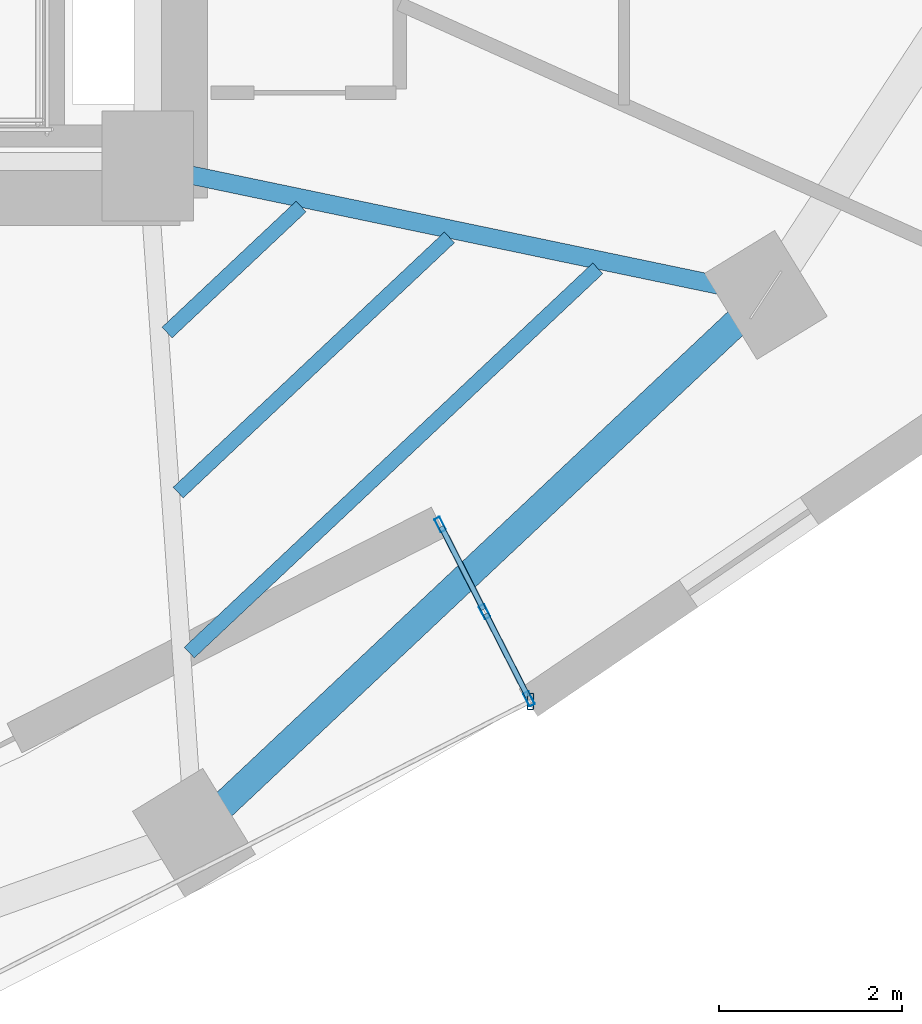
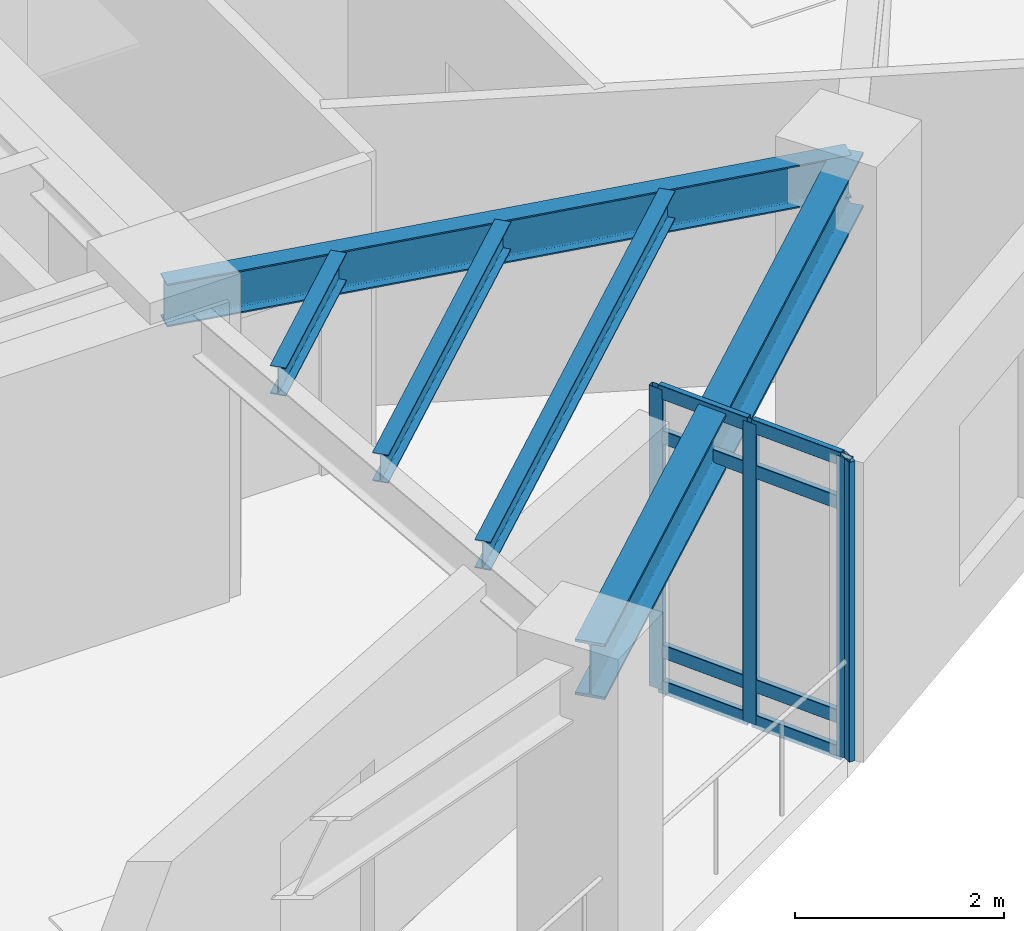
# One storey, part 3 of 12: 12 members, 5 beams, 1 element without a shape of its own.
"""IFC4 building model written with IfcOpenShell, lengths in metres."""

from ifc_helpers import new_model, si_unit, direction, frame, origin, origin_2d, place, context, subcontext, project, spatial, hollow_rectangle, i_section, extrude, material, layer, layer_set, material_profile, profile_set, type_object, element, aggregate, save


model = new_model("IFC4")

# Units and contexts
model_context = context("Model", 3, precision=1e-05, world=origin(), true_north=direction((0.0, 1.0)))
body_context = subcontext(model_context, "Body", "Model", "MODEL_VIEW")
ifc_project = project(units=[si_unit("LENGTHUNIT", "METRE"), si_unit("AREAUNIT", "SQUARE_METRE"), si_unit("VOLUMEUNIT", "CUBIC_METRE"), si_unit("PLANEANGLEUNIT", "RADIAN"), si_unit("MASSUNIT", "GRAM", prefix="KILO")], contexts=[model_context])

# Site, building, storey
site_placement = place(None, origin())
site = spatial("IfcSite", under=ifc_project, at=site_placement, CompositionType="ELEMENT")
building_placement = place(site_placement, origin())
building = spatial("IfcBuilding", under=site, at=building_placement, Name="Ndelora Gate Hotel", CompositionType="ELEMENT")
storey_placement = place(building_placement, frame((0.0, 0.0, 112.25)))
storey = spatial("IfcBuildingStorey", under=building, at=storey_placement, Name="L27", CompositionType="ELEMENT", Elevation=112.25)

# Beams
ifc_material_1 = material(Name="Steel S355", Category="steel")
ifc_material_profile_1 = material_profile(ifc_material_1, i_section(OverallWidth=0.159912109375, OverallDepth=0.330078125, WebThickness=0.007568359375, FlangeThickness=0.011474609375, FilletRadius=0.01806640625, at=origin_2d()), Name="IPE 330")
ifc_profile_set_1 = profile_set([ifc_material_profile_1], Name="Steel S355")
beam_type_1 = type_object("IfcBeamType", Name="BM-JST-330", PredefinedType="JOIST", material=ifc_profile_set_1)
beam_1_placement = place(storey_placement, frame((8.211181640625, -8.4169921875, 3.3349609375), z_axis=(0.728414088998, 0.685137150466, 0.0), x_axis=(-0.685137150466, 0.728414088998, 0.0)))
element("IfcBeam", 1, at=beam_1_placement, inside=storey, type_object=beam_type_1, Name="L27 Secondary Composite Floor Joist IN-7", PredefinedType="JOIST", context=body_context, shape_type="SweptSolid", body=[
    extrude(i_section(OverallWidth=0.159912109375, OverallDepth=0.330078125, WebThickness=0.007568359375, FlangeThickness=0.011474609375, FilletRadius=0.01806640625, at=origin_2d()), origin(), (0.0, 0.0, 1.0), 2.00830078125),
])
beam_2_placement = place(storey_placement, frame((8.33251953125, -10.163818359375, 3.3349609375), z_axis=(0.728369245526, 0.685184823366, 0.0), x_axis=(-0.685184823366, 0.728369245526, 0.0)))
element("IfcBeam", 2, at=beam_2_placement, inside=storey, type_object=beam_type_1, Name="L27 Secondary Composite Floor Joist MID-7", PredefinedType="JOIST", context=body_context, shape_type="SweptSolid", body=[
    extrude(i_section(OverallWidth=0.159912109375, OverallDepth=0.330078125, WebThickness=0.007568359375, FlangeThickness=0.011474609375, FilletRadius=0.01806640625, at=origin_2d()), origin(), (0.0, 0.0, 1.0), 4.06494140625),
])
beam_3_placement = place(storey_placement, frame((8.45361328125, -11.910400390625, 3.3349609375), z_axis=(0.728393161111, 0.68515939959, 0.0), x_axis=(-0.68515939959, 0.728393161111, 0.0)))
element("IfcBeam", 3, at=beam_3_placement, inside=storey, type_object=beam_type_1, Name="L27 Secondary Composite Floor Joist OUT-7", PredefinedType="JOIST", context=body_context, shape_type="SweptSolid", body=[
    extrude(i_section(OverallWidth=0.159912109375, OverallDepth=0.330078125, WebThickness=0.007568359375, FlangeThickness=0.011474609375, FilletRadius=0.01806640625, at=origin_2d()), origin(), (0.0, 0.0, 1.0), 6.121337890625),
])
ifc_material_profile_2 = material_profile(ifc_material_1, i_section(OverallWidth=0.199951171875, OverallDepth=0.5, WebThickness=0.01025390625, FlangeThickness=0.01611328125, FilletRadius=0.02099609375, at=origin_2d()), Name="IPE 500")
ifc_profile_set_2 = profile_set([ifc_material_profile_2], Name="Steel S355")
beam_type_2 = type_object("IfcBeamType", Name="BM-RAD-500", PredefinedType="BEAM", material=ifc_profile_set_2)
beam_4_placement = place(storey_placement, frame((8.0, -6.60009765625, 3.25), z_axis=(0.978952706778, -0.204087231083, 0.0), x_axis=(0.204087231083, 0.978952706778, 0.0)))
element("IfcBeam", 4, at=beam_4_placement, inside=storey, type_object=beam_type_2, Name="L27 Radial Floor Girder 8", PredefinedType="BEAM", context=body_context, shape_type="SweptSolid", body=[
    extrude(i_section(OverallWidth=0.199951171875, OverallDepth=0.5, WebThickness=0.01025390625, FlangeThickness=0.01611328125, FilletRadius=0.02099609375, at=origin_2d()), origin(), (0.0, 0.0, 1.0), 6.8916015625),
])
ifc_material_profile_3 = material_profile(ifc_material_1, i_section(OverallWidth=0.300048828125, OverallDepth=0.64990234375, WebThickness=0.01611328125, FlangeThickness=0.031005859375, FilletRadius=0.027099609375, at=origin_2d()), Name="HEB 650")
ifc_profile_set_3 = profile_set([ifc_material_profile_3], Name="Steel S355")
beam_type_3 = type_object("IfcBeamType", Name="BM-RING-650", PredefinedType="SPANDREL", material=ifc_profile_set_3)
beam_5_placement = place(storey_placement, frame((8.50439453125, -13.878173828125, 3.175048828125), z_axis=(0.728399016952, 0.68515317419, 0.0), x_axis=(-0.68515317419, 0.728399016952, 0.0)))
element("IfcBeam", 5, at=beam_5_placement, inside=storey, type_object=beam_type_3, Name="L27 Perimeter Spandrel Girder 7", PredefinedType="SPANDREL", context=body_context, shape_type="SweptSolid", body=[
    extrude(i_section(OverallWidth=0.300048828125, OverallDepth=0.64990234375, WebThickness=0.01611328125, FlangeThickness=0.031005859375, FilletRadius=0.027099609375, at=origin_2d()), origin(), (0.0, 0.0, 1.0), 8.56982421875),
])

# Curtain wall, members
ifc_material_2 = material(Name="Bronze Anodised Unitised Aluminium and Low-E Glass", Category="aluminium")
ifc_layer = layer(ifc_material_2, 0.199951171875)
ifc_layer_set = layer_set([ifc_layer], Name="Bronze Anodised Unitised Aluminium and Low-E Glass")
curtain_wall_type = type_object("IfcCurtainWallType", Name="CW-SYS-3", PredefinedType="NOTDEFINED", material=ifc_layer_set)
curtain_wall_placement = place(storey_placement, origin())
curtain_wall = element("IfcCurtainWall", 6, at=curtain_wall_placement, inside=storey, type_object=curtain_wall_type, Name="L27 Sky-Garden Loggia Side Curtain Wall CW3-2", PredefinedType="NOTDEFINED")
ifc_material_3 = material(Name="Bronze Anodised Aluminium 6063-T6", Category="aluminium")
ifc_material_profile_4 = material_profile(ifc_material_3, hollow_rectangle(XDim=0.06494140625, YDim=0.159912109375, WallThickness=0.00390625, InnerFilletRadius=0.00390625, OuterFilletRadius=0.008056640625, at=origin_2d()), Name="ALU 160x65x4")
ifc_profile_set_4 = profile_set([ifc_material_profile_4], Name="Bronze Anodised Aluminium 6063-T6")
member_type_1 = type_object("IfcMemberType", Name="MB-CW-MUL150", PredefinedType="MULLION", material=ifc_profile_set_4)
member_1_placement = place(storey_placement, frame((12.161865234375, -12.4150390625, -0.00390625), z_axis=(0.0, 0.0, 1.0), x_axis=(-0.891001336507, -0.454000680995, 0.0)))
member_1 = element("IfcMember", 7, at=member_1_placement, type_object=member_type_1, Name="CW3 mullion 1", PredefinedType="MULLION", context=body_context, shape_type="SweptSolid", body=[
    extrude(hollow_rectangle(XDim=0.06494140625, YDim=0.159912109375, WallThickness=0.00390625, InnerFilletRadius=0.00390625, OuterFilletRadius=0.008056640625, at=origin_2d()), origin(), (0.0, 0.0, 1.0), 3.5078125),
])
member_2_placement = place(storey_placement, frame((11.67724609375, -11.4638671875, -0.00390625), z_axis=(0.0, 0.0, 1.0), x_axis=(-0.891001336507, -0.454000680995, 0.0)))
member_2 = element("IfcMember", 8, at=member_2_placement, type_object=member_type_1, Name="CW3 mullion 2", PredefinedType="MULLION", context=body_context, shape_type="SweptSolid", body=[
    extrude(hollow_rectangle(XDim=0.06494140625, YDim=0.159912109375, WallThickness=0.00390625, InnerFilletRadius=0.00390625, OuterFilletRadius=0.008056640625, at=origin_2d()), origin(), (0.0, 0.0, 1.0), 3.5078125),
])
member_3_placement = place(storey_placement, frame((11.192626953125, -10.5126953125, -0.00390625), z_axis=(0.0, 0.0, 1.0), x_axis=(-0.891001336507, -0.454000680995, 0.0)))
member_3 = element("IfcMember", 9, at=member_3_placement, type_object=member_type_1, Name="CW3 mullion 3", PredefinedType="MULLION", context=body_context, shape_type="SweptSolid", body=[
    extrude(hollow_rectangle(XDim=0.06494140625, YDim=0.159912109375, WallThickness=0.00390625, InnerFilletRadius=0.00390625, OuterFilletRadius=0.008056640625, at=origin_2d()), origin(), (0.0, 0.0, 1.0), 3.5078125),
])
ifc_material_profile_5 = material_profile(ifc_material_3, hollow_rectangle(XDim=0.070068359375, YDim=0.179931640625, WallThickness=0.0048828125, InnerFilletRadius=0.0048828125, OuterFilletRadius=0.010009765625, at=origin_2d()), Name="ALU 180x70x5")
ifc_profile_set_5 = profile_set([ifc_material_profile_5], Name="Bronze Anodised Aluminium 6063-T6")
member_type_2 = type_object("IfcMemberType", Name="MB-CW-MUL180", PredefinedType="MULLION", material=ifc_profile_set_5)
member_4_placement = place(storey_placement, frame((12.176513671875, -12.44384765625, 0.0), z_axis=(0.0, 0.0, 1.0), x_axis=(1.0, 0.0, 0.0)))
member_4 = element("IfcMember", 10, at=member_4_placement, type_object=member_type_2, Name="L27 Sky-Garden Loggia Corner Mullion Post 2", PredefinedType="MULLION", context=body_context, shape_type="SweptSolid", body=[
    extrude(hollow_rectangle(XDim=0.070068359375, YDim=0.179931640625, WallThickness=0.0048828125, InnerFilletRadius=0.0048828125, OuterFilletRadius=0.010009765625, at=origin_2d()), origin(), (0.0, 0.0, 1.0), 3.5),
])
ifc_material_profile_6 = material_profile(ifc_material_3, hollow_rectangle(XDim=0.06494140625, YDim=0.159912109375, WallThickness=0.00390625, InnerFilletRadius=0.00390625, OuterFilletRadius=0.008056640625, at=origin_2d()), Name="ALU 160x65x4")
ifc_profile_set_6 = profile_set([ifc_material_profile_6], Name="Bronze Anodised Aluminium 6063-T6")
member_type_3 = type_object("IfcMemberType", Name="MB-CW-TRN150", PredefinedType="USERDEFINED", material=ifc_profile_set_6)
member_5_placement = place(storey_placement, frame((12.14990234375, -12.391357421875, 0.032470703125), z_axis=(-0.454033910437, 0.890984404001, 0.0), x_axis=(-0.890984404001, -0.454033910437, 0.0)))
member_5 = element("IfcMember", 11, at=member_5_placement, type_object=member_type_3, Name="CW3 transom 1.1", ObjectType="TRANSOM", PredefinedType="USERDEFINED", context=body_context, shape_type="SweptSolid", body=[
    extrude(hollow_rectangle(XDim=0.06494140625, YDim=0.159912109375, WallThickness=0.00390625, InnerFilletRadius=0.00390625, OuterFilletRadius=0.008056640625, at=origin_2d()), origin(), (0.0, 0.0, 1.0), 1.0146484375),
])
member_6_placement = place(storey_placement, frame((12.14990234375, -12.391357421875, 0.449951171875), z_axis=(-0.454033910437, 0.890984404001, 0.0), x_axis=(-0.890984404001, -0.454033910437, 0.0)))
member_6 = element("IfcMember", 12, at=member_6_placement, type_object=member_type_3, Name="CW3 transom 1.2", ObjectType="TRANSOM", PredefinedType="USERDEFINED", context=body_context, shape_type="SweptSolid", body=[
    extrude(hollow_rectangle(XDim=0.06494140625, YDim=0.159912109375, WallThickness=0.00390625, InnerFilletRadius=0.00390625, OuterFilletRadius=0.008056640625, at=origin_2d()), origin(), (0.0, 0.0, 1.0), 1.0146484375),
])
member_7_placement = place(storey_placement, frame((12.14990234375, -12.391357421875, 2.949951171875), z_axis=(-0.454033910437, 0.890984404001, 0.0), x_axis=(-0.890984404001, -0.454033910437, 0.0)))
member_7 = element("IfcMember", 13, at=member_7_placement, type_object=member_type_3, Name="CW3 transom 1.3", ObjectType="TRANSOM", PredefinedType="USERDEFINED", context=body_context, shape_type="SweptSolid", body=[
    extrude(hollow_rectangle(XDim=0.06494140625, YDim=0.159912109375, WallThickness=0.00390625, InnerFilletRadius=0.00390625, OuterFilletRadius=0.008056640625, at=origin_2d()), origin(), (0.0, 0.0, 1.0), 1.0146484375),
])
member_8_placement = place(storey_placement, frame((12.14990234375, -12.391357421875, 3.467529296875), z_axis=(-0.454033910437, 0.890984404001, 0.0), x_axis=(-0.890984404001, -0.454033910437, 0.0)))
member_8 = element("IfcMember", 14, at=member_8_placement, type_object=member_type_3, Name="CW3 transom 1.4", ObjectType="TRANSOM", PredefinedType="USERDEFINED", context=body_context, shape_type="SweptSolid", body=[
    extrude(hollow_rectangle(XDim=0.06494140625, YDim=0.159912109375, WallThickness=0.00390625, InnerFilletRadius=0.00390625, OuterFilletRadius=0.008056640625, at=origin_2d()), origin(), (0.0, 0.0, 1.0), 1.0146484375),
])
member_9_placement = place(storey_placement, frame((11.665283203125, -11.440185546875, 0.032470703125), z_axis=(-0.454131264886, 0.890934786756, 0.0), x_axis=(-0.890934786756, -0.454131264886, 0.0)))
member_9 = element("IfcMember", 15, at=member_9_placement, type_object=member_type_3, Name="CW3 transom 2.1", ObjectType="TRANSOM", PredefinedType="USERDEFINED", context=body_context, shape_type="SweptSolid", body=[
    extrude(hollow_rectangle(XDim=0.06494140625, YDim=0.159912109375, WallThickness=0.00390625, InnerFilletRadius=0.00390625, OuterFilletRadius=0.008056640625, at=origin_2d()), origin(), (0.0, 0.0, 1.0), 1.014404296875),
])
member_10_placement = place(storey_placement, frame((11.665283203125, -11.440185546875, 0.449951171875), z_axis=(-0.454131264886, 0.890934786756, 0.0), x_axis=(-0.890934786756, -0.454131264886, 0.0)))
member_10 = element("IfcMember", 16, at=member_10_placement, type_object=member_type_3, Name="CW3 transom 2.2", ObjectType="TRANSOM", PredefinedType="USERDEFINED", context=body_context, shape_type="SweptSolid", body=[
    extrude(hollow_rectangle(XDim=0.06494140625, YDim=0.159912109375, WallThickness=0.00390625, InnerFilletRadius=0.00390625, OuterFilletRadius=0.008056640625, at=origin_2d()), origin(), (0.0, 0.0, 1.0), 1.014404296875),
])
member_11_placement = place(storey_placement, frame((11.665283203125, -11.440185546875, 2.949951171875), z_axis=(-0.454131264886, 0.890934786756, 0.0), x_axis=(-0.890934786756, -0.454131264886, 0.0)))
member_11 = element("IfcMember", 17, at=member_11_placement, type_object=member_type_3, Name="CW3 transom 2.3", ObjectType="TRANSOM", PredefinedType="USERDEFINED", context=body_context, shape_type="SweptSolid", body=[
    extrude(hollow_rectangle(XDim=0.06494140625, YDim=0.159912109375, WallThickness=0.00390625, InnerFilletRadius=0.00390625, OuterFilletRadius=0.008056640625, at=origin_2d()), origin(), (0.0, 0.0, 1.0), 1.014404296875),
])
member_12_placement = place(storey_placement, frame((11.665283203125, -11.440185546875, 3.467529296875), z_axis=(-0.454131264886, 0.890934786756, 0.0), x_axis=(-0.890934786756, -0.454131264886, 0.0)))
member_12 = element("IfcMember", 18, at=member_12_placement, type_object=member_type_3, Name="CW3 transom 2.4", ObjectType="TRANSOM", PredefinedType="USERDEFINED", context=body_context, shape_type="SweptSolid", body=[
    extrude(hollow_rectangle(XDim=0.06494140625, YDim=0.159912109375, WallThickness=0.00390625, InnerFilletRadius=0.00390625, OuterFilletRadius=0.008056640625, at=origin_2d()), origin(), (0.0, 0.0, 1.0), 1.014404296875),
])
aggregate(curtain_wall, [member_1, member_2, member_3, member_5, member_6, member_7, member_8, member_9, member_10, member_11, member_12, member_4])

save(model, "model.ifc")
